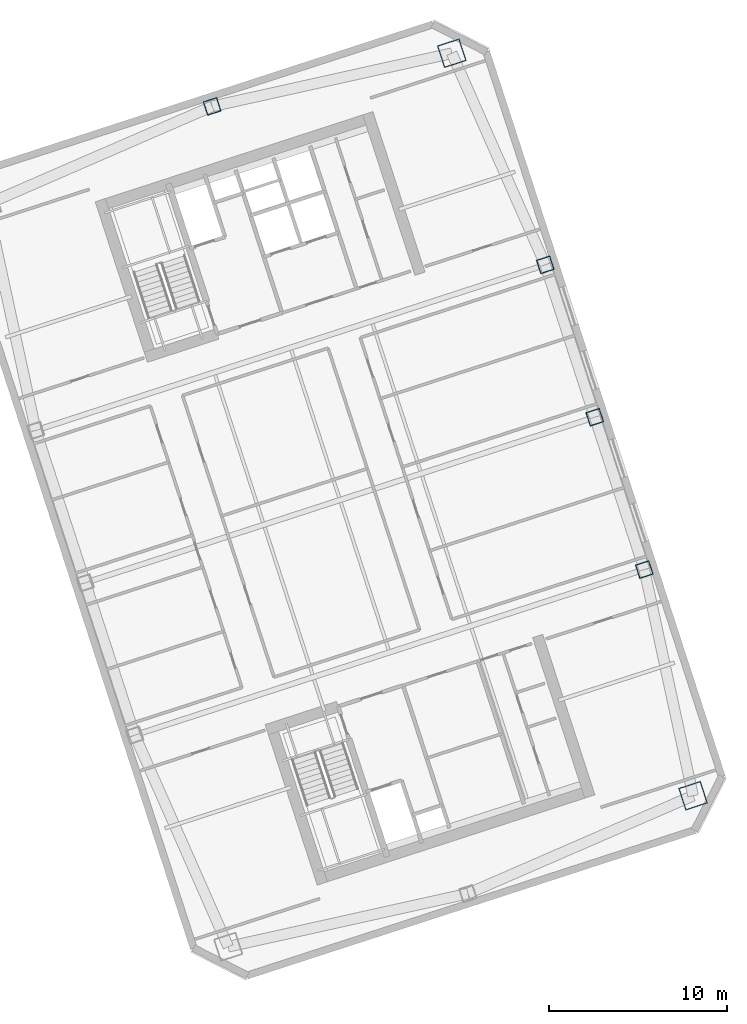
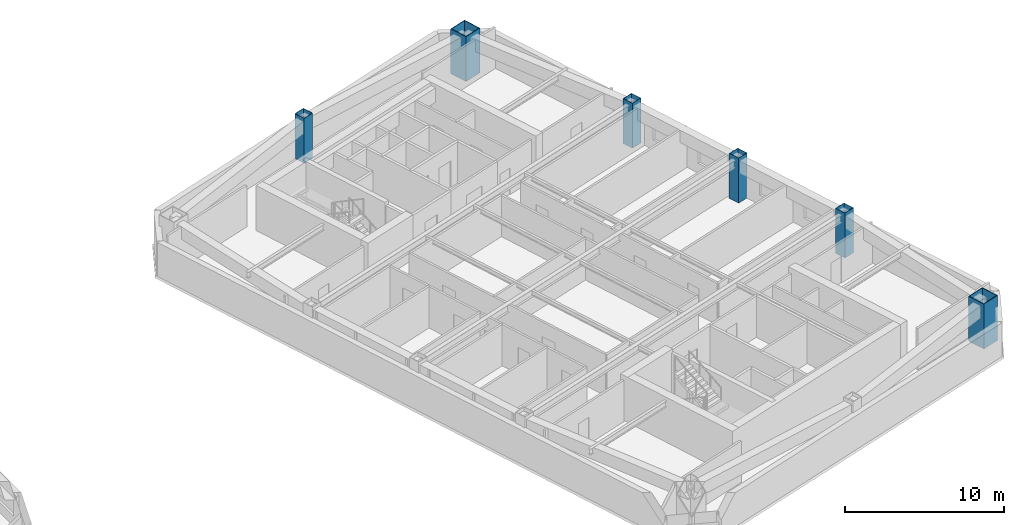
# One storey, part 2 of 13: 6 columns.
"""IFC4 building model written with IfcOpenShell, lengths in metres."""

from ifc_helpers import new_model, si_unit, direction, frame, origin, origin_2d, place, context, subcontext, project, spatial, hollow_rectangle, extrude, material, material_profile, profile_set, type_object, element, save


model = new_model("IFC4")

# Units and contexts
model_context = context("Model", 3, precision=1e-05, world=origin(), true_north=direction((0.0, 1.0)))
body_context = subcontext(model_context, "Body", "Model", "MODEL_VIEW")
ifc_project = project(units=[si_unit("LENGTHUNIT", "METRE"), si_unit("AREAUNIT", "SQUARE_METRE"), si_unit("VOLUMEUNIT", "CUBIC_METRE"), si_unit("PLANEANGLEUNIT", "RADIAN"), si_unit("MASSUNIT", "GRAM", prefix="KILO")], contexts=[model_context])

# Site, building, storey
site_placement = place(None, origin())
site = spatial("IfcSite", under=ifc_project, at=site_placement, CompositionType="ELEMENT")
building_placement = place(site_placement, origin())
building = spatial("IfcBuilding", under=site, at=building_placement, Name="Qiaolan Cultural Towers", CompositionType="ELEMENT")
storey_placement = place(building_placement, frame((0.0, 0.0, 170.199951171875)))
storey = spatial("IfcBuildingStorey", under=building, at=storey_placement, Name="L45", CompositionType="ELEMENT", Elevation=170.199951171875)

# Columns
ifc_material_1 = material(Name="Steel Q390GJB", Category="steel")
ifc_material_profile_1 = material_profile(ifc_material_1, hollow_rectangle(XDim=1.300048828125, YDim=1.300048828125, WallThickness=0.044921875, at=origin_2d()), Name="BOX1300x1300x45")
ifc_profile_set_1 = profile_set([ifc_material_profile_1], Name="Steel Q390GJB")
column_type_1 = type_object("IfcColumnType", Name="COL-BOX1300x1300x45", PredefinedType="COLUMN", material=ifc_profile_set_1)
for number, where, z_axis, x_axis, name in (
    (1, (109.834716796875, 17.38623046875, 0.0), (0.0, 0.0, 1.0), (0.951056516295, 0.309016994375, 0.0), "L45 T2 Perimeter Column MC-SE"),
    (2, (96.28125, 59.099365234375, 0.0), (0.0, 0.0, 1.0), (0.951056516295, 0.309016994375, 0.0), "L45 T2 Perimeter Column MC-NE"),
):
    element("IfcColumn", number, at=place(storey_placement, frame(where, z_axis=z_axis, x_axis=x_axis)), inside=storey, type_object=column_type_1, Name=name, PredefinedType="COLUMN", context=body_context, shape_type="SweptSolid", body=[
        extrude(hollow_rectangle(XDim=1.300048828125, YDim=1.300048828125, WallThickness=0.044921875, at=origin_2d()), origin(), (0.0, 0.0, 1.0), 3.450927734375),
    ])
ifc_material_2 = material(Name="Steel Q355B", Category="steel")
ifc_material_profile_2 = material_profile(ifc_material_2, hollow_rectangle(XDim=0.800048828125, YDim=0.800048828125, WallThickness=0.028076171875, at=origin_2d()), Name="BOX800x800x28")
ifc_profile_set_2 = profile_set([ifc_material_profile_2], Name="Steel Q355B")
column_type_2 = type_object("IfcColumnType", Name="COL-BOX800x800x28", PredefinedType="COLUMN", material=ifc_profile_set_2)
for number, where, z_axis, x_axis, name in (
    (3, (107.094482421875, 30.09130859375, 0.0), (0.0, 0.0, 1.0), (0.951056516295, 0.309016994375, 0.0), "L45 T2 Perimeter Column PC-E1"),
    (4, (104.3134765625, 38.650634765625, 0.0), (0.0, 0.0, 1.0), (0.951056516295, 0.309016994375, 0.0), "L45 T2 Perimeter Column PC-E2"),
    (5, (101.5322265625, 47.210205078125, 0.0), (0.0, 0.0, 1.0), (0.951056516295, 0.309016994375, 0.0), "L45 T2 Perimeter Column PC-E3"),
    (6, (82.8154296875, 56.112060546875, 0.0), (0.0, 0.0, 1.0), (0.951056516295, 0.309016994375, 0.0), "L45 T2 Perimeter Column PC-N0"),
):
    element("IfcColumn", number, at=place(storey_placement, frame(where, z_axis=z_axis, x_axis=x_axis)), inside=storey, type_object=column_type_2, Name=name, PredefinedType="COLUMN", context=body_context, shape_type="SweptSolid", body=[
        extrude(hollow_rectangle(XDim=0.800048828125, YDim=0.800048828125, WallThickness=0.028076171875, at=origin_2d()), origin(), (0.0, 0.0, 1.0), 3.450927734375),
    ])

save(model, "model.ifc")
